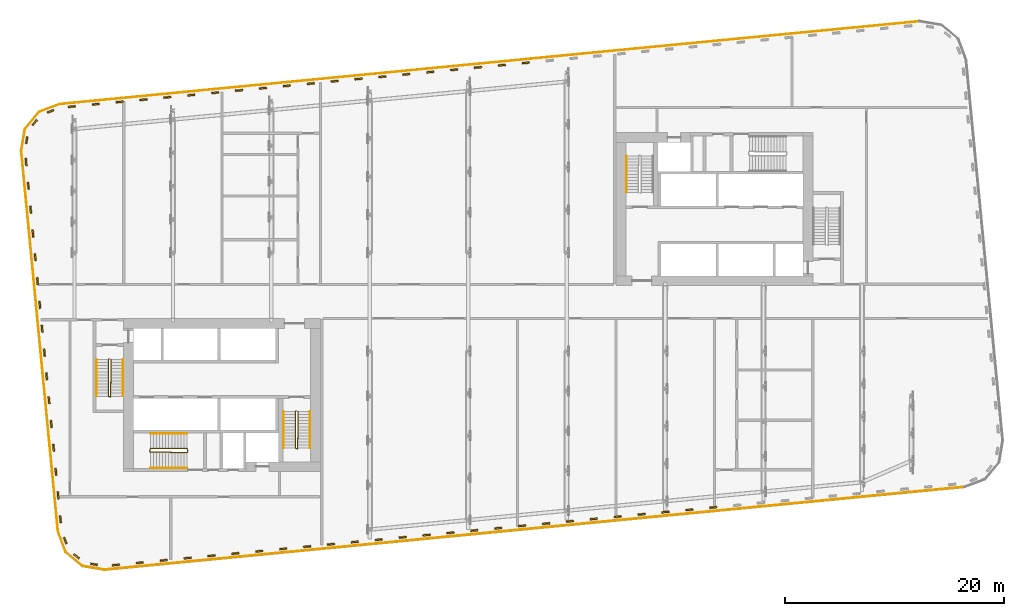
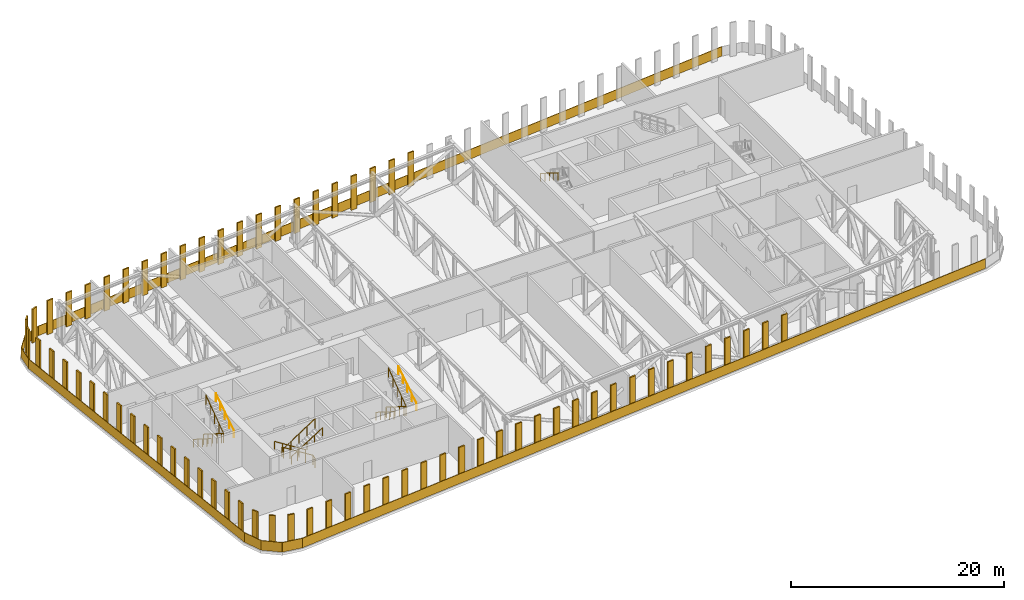
# One storey, part 21 of 22: 68 shading devices, 19 railings.
"""IFC4 building model written with IfcOpenShell, lengths in metres."""

import ifcopenshell
import ifcopenshell.guid

model = None  # the IFC model being written
_history = None  # IfcOwnerHistory: only IFC2X3 demands one
_inside = {}  # id of a spatial element -> (the spatial element, [elements in it])
_under = {}  # id of a project, library or spatial element -> (it, [spatial elements below it])
_declared = {}  # id of a project -> (the project, [libraries it declares])
_typed = {}  # id of a type object -> (the type object, [elements of that type])
_made_of = {}  # id of a material, layer set ... -> (it, [elements and type objects made of it])


def new_model(schema):
    """Start an empty IFC model of exactly this schema.

    Asked for "IFC4X3", IfcOpenShell would pick the latest addendum, in which some entities
    have other attributes; the version numbers below select the first issue.
    IFC2X3 requires an IfcOwnerHistory on every rooted entity: one is made here for all.
    """
    global model, _history
    if schema == "IFC4X3":
        model = ifcopenshell.file(schema_version=(4, 3, 0, 0))
    else:
        model = ifcopenshell.file(schema=schema)
    _inside.clear()
    _under.clear()
    _declared.clear()
    _typed.clear()
    _made_of.clear()
    _history = None
    if model.schema == "IFC2X3":
        org = make("IfcOrganization", Name="unknown")
        user = make(
            "IfcPersonAndOrganization",
            ThePerson=make("IfcPerson", FamilyName="unknown"),
            TheOrganization=org,
        )
        app = make(
            "IfcApplication",
            ApplicationDeveloper=org,
            Version="unknown",
            ApplicationFullName="unknown",
            ApplicationIdentifier="unknown",
        )
        _history = make(
            "IfcOwnerHistory",
            OwningUser=user,
            OwningApplication=app,
            ChangeAction="ADDED",
            CreationDate=0,
        )
    return model


def make(cls, **values):
    """One entity of the class cls with the attributes given. An attribute that is None is left unset."""
    return model.create_entity(
        cls, **{name: value for name, value in values.items() if value is not None}
    )


def rooted(cls, **values):
    """An entity with a GlobalId (a new one), such as an element, a storey or a relation."""
    return make(cls, GlobalId=ifcopenshell.guid.new(), OwnerHistory=_history, **values)


def si_unit(unit_type, name, prefix=None):
    """IfcSIUnit, for example si_unit("LENGTHUNIT", "METRE", prefix="MILLI")."""
    return make("IfcSIUnit", UnitType=unit_type, Prefix=prefix, Name=name)


def assignment(units):
    """IfcUnitAssignment: the units of a project."""
    return None if units is None else make("IfcUnitAssignment", Units=units)


def point(xyz):
    """IfcCartesianPoint."""
    return None if xyz is None else make("IfcCartesianPoint", Coordinates=xyz)


def direction(xyz):
    """IfcDirection."""
    return None if xyz is None else make("IfcDirection", DirectionRatios=xyz)


def frame(location, z_axis=None, x_axis=None):
    """IfcAxis2Placement3D, a coordinate frame: its origin and axes. An axis left out is left unset."""
    return make(
        "IfcAxis2Placement3D",
        Location=point(location),
        Axis=direction(z_axis),
        RefDirection=direction(x_axis),
    )


def frame_2d(location, x_axis=None):
    """IfcAxis2Placement2D, a coordinate frame in the plane: its origin and x axis."""
    return make(
        "IfcAxis2Placement2D", Location=point(location), RefDirection=direction(x_axis)
    )


def origin():
    """The frame at (0, 0, 0) with its axes left unset."""
    return frame((0.0, 0.0, 0.0))


def origin_2d():
    """The frame at (0, 0) in the plane with its x axis left unset."""
    return frame_2d((0.0, 0.0))


def place(relative_to, where):
    """IfcLocalPlacement: puts the frame where relative to a parent placement (None: the world)."""
    return make(
        "IfcLocalPlacement", PlacementRelTo=relative_to, RelativePlacement=where
    )


def context(
    kind, dimensions, precision=None, world=None, true_north=None, identifier=None
):
    """IfcGeometricRepresentationContext, for example the 3D "Model" context."""
    return make(
        "IfcGeometricRepresentationContext",
        ContextIdentifier=identifier,
        ContextType=kind,
        CoordinateSpaceDimension=dimensions,
        Precision=precision,
        WorldCoordinateSystem=world,
        TrueNorth=true_north,
    )


def subcontext(parent, identifier, kind, view, scale=None):
    """IfcGeometricRepresentationSubContext, for example "Body" below "Model"."""
    return make(
        "IfcGeometricRepresentationSubContext",
        ContextIdentifier=identifier,
        ContextType=kind,
        ParentContext=parent,
        TargetScale=scale,
        TargetView=view,
    )


def project(units=None, contexts=None):
    """IfcProject with its units and contexts."""
    return rooted(
        "IfcProject",
        Name="project",
        RepresentationContexts=contexts,
        UnitsInContext=assignment(units),
    )


def spatial(cls, under=None, at=None, **own):
    """A site, building, storey or space (cls), placed at a placement, below another one or the project."""
    s = rooted(cls, ObjectPlacement=at, **own)
    if under is not None:
        _under.setdefault(under.id(), (under, []))[1].append(s)
    return s


def polyline(points):
    """IfcPolyline through the points."""
    return make("IfcPolyline", Points=[point(p) for p in points])


def profile(cls, at=None, kind="AREA", **sizes):
    """A parametric profile (cls). Its sizes go by their IFC names, for example OverallWidth=200.0."""
    return make(cls, ProfileType=kind, Position=at, **sizes)


def rectangle(**sizes):
    """IfcRectangleProfileDef."""
    return profile("IfcRectangleProfileDef", **sizes)


def circle(**sizes):
    """IfcCircleProfileDef."""
    return profile("IfcCircleProfileDef", **sizes)


def outline(outer, holes=None, kind="AREA"):
    """IfcArbitraryClosedProfileDef: a profile drawn as a closed curve; with holes, ...WithVoids."""
    if holes is None:
        return make("IfcArbitraryClosedProfileDef", ProfileType=kind, OuterCurve=outer)
    return make(
        "IfcArbitraryProfileDefWithVoids",
        ProfileType=kind,
        OuterCurve=outer,
        InnerCurves=holes,
    )


def extrude(swept, where, along, depth):
    """IfcExtrudedAreaSolid: the profile swept, set in the frame where, extruded along a direction by depth."""
    return make(
        "IfcExtrudedAreaSolid",
        SweptArea=swept,
        Position=where,
        ExtrudedDirection=direction(along),
        Depth=depth,
    )


def shape(context_of_items, identifier, shape_type, items):
    """IfcShapeRepresentation: the items that make up one representation, for example the "Body"."""
    return make(
        "IfcShapeRepresentation",
        ContextOfItems=context_of_items,
        RepresentationIdentifier=identifier,
        RepresentationType=shape_type,
        Items=items,
    )


def material(Name=None, Category=None):
    """IfcMaterial."""
    return make("IfcMaterial", Name=Name, Category=Category)


def made_of(thing, what):
    """Note that an element or type object is made of a material, layer set ...; save() writes the relation."""
    if what is not None:
        _made_of.setdefault(what.id(), (what, []))[1].append(thing)
    return thing


def type_object(cls, material=None, **own):
    """A type object (cls), such as IfcWallType, which elements share."""
    return made_of(rooted(cls, **own), material)


def element(
    cls,
    number,
    at=None,
    inside=None,
    cuts=None,
    type_object=None,
    material=None,
    context=None,
    identifier="Body",
    shape_type=None,
    held_by="IfcProductDefinitionShape",
    body=None,
    shapes=None,
    **own,
):
    """One element of the class cls, such as IfcWall. Its Tag is "e" and its number.

    at: its placement. inside: the storey or other place that contains it. cuts: it is an
    opening in that element (IfcRelVoidsElement). A single representation is given by context,
    identifier, shape_type and body (its items); several are given by shapes. held_by: the class
    of the entity that holds the representations. save() writes the other relations.
    """
    e = rooted(cls, Tag="e%d" % number, ObjectPlacement=at, **own)
    if body is not None:
        shapes = [shape(context, identifier, shape_type, body)]
    if shapes is not None:
        e.Representation = make(held_by, Representations=shapes)
    if inside is not None:
        _inside.setdefault(inside.id(), (inside, []))[1].append(e)
    if cuts is not None:
        rooted(
            "IfcRelVoidsElement", RelatingBuildingElement=cuts, RelatedOpeningElement=e
        )
    if type_object is not None:
        _typed.setdefault(type_object.id(), (type_object, []))[1].append(e)
    return made_of(e, material)


def aggregate(whole, parts):
    """IfcRelAggregates: a whole, such as a stair, and the parts it consists of."""
    return rooted("IfcRelAggregates", RelatingObject=whole, RelatedObjects=parts)


def save(model, path):
    """Write the relations noted so far, then the file.

    IfcRelAggregates (storeys below a building ...), IfcRelContainedInSpatialStructure (elements
    in a storey), IfcRelDefinesByType, IfcRelAssociatesMaterial and IfcRelDeclares: one each for
    every whole, place, type object, material and project.
    """
    for whole, parts in _under.values():
        aggregate(whole, parts)
    for where, things in _inside.values():
        rooted(
            "IfcRelContainedInSpatialStructure",
            RelatedElements=things,
            RelatingStructure=where,
        )
    for kind, things in _typed.values():
        rooted("IfcRelDefinesByType", RelatedObjects=things, RelatingType=kind)
    for what, things in _made_of.values():
        rooted("IfcRelAssociatesMaterial", RelatedObjects=things, RelatingMaterial=what)
    for by, libraries in _declared.values():
        rooted("IfcRelDeclares", RelatingContext=by, RelatedDefinitions=libraries)
    model.write(path)


model = new_model("IFC4")

# Units and contexts
model_context = context("Model", 3, precision=1e-05, world=origin(), true_north=direction((0.0, 1.0)))
body_context = subcontext(model_context, "Body", "Model", "MODEL_VIEW")
ifc_project = project(units=[si_unit("LENGTHUNIT", "METRE"), si_unit("AREAUNIT", "SQUARE_METRE"), si_unit("VOLUMEUNIT", "CUBIC_METRE"), si_unit("PLANEANGLEUNIT", "RADIAN"), si_unit("MASSUNIT", "GRAM", prefix="KILO")], contexts=[model_context])

# Site, building, storey
site_placement = place(None, origin())
site = spatial("IfcSite", under=ifc_project, at=site_placement, CompositionType="ELEMENT")
building_placement = place(site_placement, origin())
building = spatial("IfcBuilding", under=site, at=building_placement, Name="Kajstack Hotel Tower", CompositionType="ELEMENT")
storey_placement = place(building_placement, frame((0.0, 0.0, 150.39990234375)))
storey = spatial("IfcBuildingStorey", under=building, at=storey_placement, Name="L35", CompositionType="ELEMENT", Elevation=150.39990234375)

# Railings
ifc_material = material(Name="Steel S355J2", Category="steel")
railing_type_1 = type_object("IfcRailingType", Name="GUARD-FACADE", PredefinedType="GUARDRAIL", material=ifc_material)
railing_1_placement = place(storey_placement, frame((-37.50439453125, -20.96142578125, 0.0)))
element("IfcRailing", 1, at=railing_1_placement, inside=storey, type_object=railing_type_1, Name="Guard L35 slab edge 01", PredefinedType="GUARDRAIL", context=body_context, shape_type="SweptSolid", body=[
    extrude(outline(polyline([(0.736328125, -1.88427734375), (0.68017578125, -1.9052734375), (-0.028076171875, -0.010498046875), (0.028076171875, 0.010498046875), (0.736328125, -1.88427734375)])), origin(), (0.0, 0.0, 1.0), 1.10009765625),
])
railing_2_placement = place(storey_placement, frame((-36.796142578125, -22.856201171875, 0.0)))
element("IfcRailing", 2, at=railing_2_placement, inside=storey, type_object=railing_type_1, Name="Guard L35 slab edge 02", PredefinedType="GUARDRAIL", context=body_context, shape_type="SweptSolid", body=[
    extrude(outline(polyline([(1.567138671875, -1.252685546875), (1.529052734375, -1.299072265625), (-0.01904296875, -0.023193359375), (0.01904296875, 0.023193359375), (1.567138671875, -1.252685546875)])), origin(), (0.0, 0.0, 1.0), 1.10009765625),
])
railing_3_placement = place(storey_placement, frame((-35.248046875, -24.132080078125, 0.0)))
element("IfcRailing", 3, at=railing_3_placement, inside=storey, type_object=railing_type_1, Name="Guard L35 slab edge 03", PredefinedType="GUARDRAIL", context=body_context, shape_type="SweptSolid", body=[
    extrude(outline(polyline([(1.99951171875, -0.30419921875), (1.98974609375, -0.36328125), (-0.0048828125, -0.029541015625), (0.0048828125, 0.029541015625), (1.99951171875, -0.30419921875)])), origin(), (0.0, 0.0, 1.0), 1.10009765625),
])
railing_4_placement = place(storey_placement, frame((-33.25341796875, -24.4658203125, 0.0)))
element("IfcRailing", 4, at=railing_4_placement, inside=storey, type_object=railing_type_1, Name="Guard L35 slab edge 04", PredefinedType="GUARDRAIL", context=body_context, shape_type="SweptSolid", body=[
    extrude(outline(polyline([(78.60205078125, 7.598388671875), (78.60791015625, 7.538818359375), (0.0029296875, -0.02978515625), (-0.0029296875, 0.02978515625), (78.60205078125, 7.598388671875)])), origin(), (0.0, 0.0, 1.0), 1.10009765625),
])
railing_5_placement = place(storey_placement, frame((41.25341796875, 25.666015625, 0.0)))
element("IfcRailing", 5, at=railing_5_placement, inside=storey, type_object=railing_type_1, Name="Guard L35 slab edge 12", PredefinedType="GUARDRAIL", context=body_context, shape_type="SweptSolid", body=[
    extrude(outline(polyline([(-78.60205078125, -7.5986328125), (-78.60791015625, -7.5390625), (-0.0029296875, 0.02978515625), (0.0029296875, -0.02978515625), (-78.60205078125, -7.5986328125)])), origin(), (0.0, 0.0, 1.0), 1.10009765625),
])
railing_6_placement = place(storey_placement, frame((-37.3515625, 18.09716796875, 0.0)))
element("IfcRailing", 6, at=railing_6_placement, inside=storey, type_object=railing_type_1, Name="Guard L35 slab edge 13", PredefinedType="GUARDRAIL", context=body_context, shape_type="SweptSolid", body=[
    extrude(outline(polyline([(-1.884033203125, -0.736328125), (-1.905029296875, -0.68017578125), (-0.010498046875, 0.028076171875), (0.010498046875, -0.028076171875), (-1.884033203125, -0.736328125)])), origin(), (0.0, 0.0, 1.0), 1.10009765625),
])
railing_7_placement = place(storey_placement, frame((-39.24609375, 17.388916015625, 0.0)))
element("IfcRailing", 7, at=railing_7_placement, inside=storey, type_object=railing_type_1, Name="Guard L35 slab edge 14", PredefinedType="GUARDRAIL", context=body_context, shape_type="SweptSolid", body=[
    extrude(outline(polyline([(-1.2529296875, -1.567138671875), (-1.29931640625, -1.529052734375), (-0.023193359375, 0.01904296875), (0.023193359375, -0.01904296875), (-1.2529296875, -1.567138671875)])), origin(), (0.0, 0.0, 1.0), 1.10009765625),
])
railing_8_placement = place(storey_placement, frame((-40.522216796875, 15.8408203125, 0.0)))
element("IfcRailing", 8, at=railing_8_placement, inside=storey, type_object=railing_type_1, Name="Guard L35 slab edge 15", PredefinedType="GUARDRAIL", context=body_context, shape_type="SweptSolid", body=[
    extrude(outline(polyline([(-0.30419921875, -1.999755859375), (-0.36328125, -1.989990234375), (-0.029541015625, 0.0048828125), (0.029541015625, -0.0048828125), (-0.30419921875, -1.999755859375)])), origin(), (0.0, 0.0, 1.0), 1.10009765625),
])
railing_9_placement = place(storey_placement, frame((-40.85595703125, 13.845947265625, 0.0)))
element("IfcRailing", 9, at=railing_9_placement, inside=storey, type_object=railing_type_1, Name="Guard L35 slab edge 16", PredefinedType="GUARDRAIL", context=body_context, shape_type="SweptSolid", body=[
    extrude(outline(polyline([(3.38134765625, -34.804443359375), (3.32177734375, -34.810302734375), (-0.02978515625, -0.0029296875), (0.02978515625, 0.0029296875), (3.38134765625, -34.804443359375)])), origin(), (0.0, 0.0, 1.0), 1.10009765625),
])
railing_type_2 = type_object("IfcRailingType", Name="Stair guard 1100", PredefinedType="GUARDRAIL", material=ifc_material)
railing_10_placement = place(storey_placement, frame((-32.85009765625, -5.199951171875, 0.0)))
element("IfcRailing", 10, at=railing_10_placement, inside=storey, type_object=railing_type_2, Name="L35 W1 stair guard 1", PredefinedType="GUARDRAIL", context=body_context, shape_type="SweptSolid", body=[
    extrude(circle(Radius=0.02392578125, at=origin_2d()), frame((0.0, 0.0, 1.076171875), z_axis=(-0.261352522353, -0.262633662168, 0.928826366204), x_axis=(0.708833529934, -0.705375805398, 0.0)), (0.0, 0.0, 1.0), 0.190673828125),
    extrude(circle(Radius=0.02392578125, at=origin_2d()), frame((-0.0498046875, -0.050048828125, 1.2529296875), z_axis=(0.0, -0.845389635667, 0.534150132366), x_axis=(1.0, 0.0, 0.0)), (0.0, 0.0, 1.0), 3.974609375),
    extrude(circle(Radius=0.02392578125, at=origin_2d()), frame((-0.0498046875, -3.41015625, 3.3759765625), z_axis=(0.970351222016, -0.241699205484, 0.0), x_axis=(0.241699205484, 0.970351222016, 0.0)), (0.0, 0.0, 1.0), 0.2060546875),
    extrude(circle(Radius=0.02392578125, at=origin_2d()), frame((0.150146484375, -3.4599609375, 3.3759765625), z_axis=(0.012167203753, 0.828972364935, 0.559157202696), x_axis=(-0.999892303572, 0.014675873289, 0.0)), (0.0, 0.0, 1.0), 4.113525390625),
    extrude(circle(Radius=0.02099609375, at=origin_2d()), origin(), (0.0, 0.0, 1.0), 1.052001953125),
    extrude(circle(Radius=0.02099609375, at=origin_2d()), frame((-0.0498046875, -0.050048828125, 0.177001953125)), (0.0, 0.0, 1.0), 1.052001953125),
    extrude(circle(Radius=0.02099609375, at=origin_2d()), frame((-0.0498046875, -0.89013671875, 0.707763671875)), (0.0, 0.0, 1.0), 1.052001953125),
    extrude(circle(Radius=0.02099609375, at=origin_2d()), frame((-0.0498046875, -1.72998046875, 1.238525390625)), (0.0, 0.0, 1.0), 1.052001953125),
    extrude(circle(Radius=0.02099609375, at=origin_2d()), frame((-0.0498046875, -2.570068359375, 1.769287109375)), (0.0, 0.0, 1.0), 1.052001953125),
    extrude(circle(Radius=0.02099609375, at=origin_2d()), frame((-0.0498046875, -3.41015625, 2.300048828125)), (0.0, 0.0, 1.0), 1.052001953125),
    extrude(circle(Radius=0.02099609375, at=origin_2d()), frame((0.150146484375, -3.4599609375, 2.300048828125)), (0.0, 0.0, 1.0), 1.052001953125),
    extrude(circle(Radius=0.02099609375, at=origin_2d()), frame((0.16259765625, -2.607421875, 2.875)), (0.0, 0.0, 1.0), 1.052001953125),
    extrude(circle(Radius=0.02099609375, at=origin_2d()), frame((0.17529296875, -1.7548828125, 3.4501953125)), (0.0, 0.0, 1.0), 1.052001953125),
    extrude(circle(Radius=0.02099609375, at=origin_2d()), frame((0.187744140625, -0.902587890625, 4.025146484375)), (0.0, 0.0, 1.0), 1.052001953125),
    extrude(circle(Radius=0.02099609375, at=origin_2d()), frame((0.2001953125, -0.050048828125, 4.60009765625)), (0.0, 0.0, 1.0), 1.052001953125),
])
railing_11_placement = place(storey_placement, frame((-15.75, -9.949951171875, 0.0)))
element("IfcRailing", 11, at=railing_11_placement, inside=storey, type_object=railing_type_2, Name="L35 W2 stair guard 1", PredefinedType="GUARDRAIL", context=body_context, shape_type="SweptSolid", body=[
    extrude(circle(Radius=0.02392578125, at=origin_2d()), frame((0.0, 0.0, 1.076171875), z_axis=(-0.262545553595, -0.262545553595, 0.928514762713), x_axis=(0.707106781187, -0.707106781187, 0.0)), (0.0, 0.0, 1.0), 0.190673828125),
    extrude(circle(Radius=0.02392578125, at=origin_2d()), frame((-0.050048828125, -0.050048828125, 1.2529296875), z_axis=(0.0, -0.845389635667, 0.534150132366), x_axis=(1.0, 0.0, 0.0)), (0.0, 0.0, 1.0), 3.974609375),
    extrude(circle(Radius=0.02392578125, at=origin_2d()), frame((-0.050048828125, -3.41015625, 3.3759765625), z_axis=(0.970351222016, -0.241699205484, 0.0), x_axis=(0.241699205484, 0.970351222016, 0.0)), (0.0, 0.0, 1.0), 0.2060546875),
    extrude(circle(Radius=0.02392578125, at=origin_2d()), frame((0.14990234375, -3.4599609375, 3.3759765625), z_axis=(0.012167203753, 0.828972364935, 0.559157202696), x_axis=(-0.999892303572, 0.014675873289, 0.0)), (0.0, 0.0, 1.0), 4.113525390625),
    extrude(circle(Radius=0.02099609375, at=origin_2d()), origin(), (0.0, 0.0, 1.0), 1.052001953125),
    extrude(circle(Radius=0.02099609375, at=origin_2d()), frame((-0.050048828125, -0.050048828125, 0.177001953125)), (0.0, 0.0, 1.0), 1.052001953125),
    extrude(circle(Radius=0.02099609375, at=origin_2d()), frame((-0.050048828125, -0.89013671875, 0.707763671875)), (0.0, 0.0, 1.0), 1.052001953125),
    extrude(circle(Radius=0.02099609375, at=origin_2d()), frame((-0.050048828125, -1.72998046875, 1.238525390625)), (0.0, 0.0, 1.0), 1.052001953125),
    extrude(circle(Radius=0.02099609375, at=origin_2d()), frame((-0.050048828125, -2.570068359375, 1.769287109375)), (0.0, 0.0, 1.0), 1.052001953125),
    extrude(circle(Radius=0.02099609375, at=origin_2d()), frame((-0.050048828125, -3.41015625, 2.300048828125)), (0.0, 0.0, 1.0), 1.052001953125),
    extrude(circle(Radius=0.02099609375, at=origin_2d()), frame((0.14990234375, -3.4599609375, 2.300048828125)), (0.0, 0.0, 1.0), 1.052001953125),
    extrude(circle(Radius=0.02099609375, at=origin_2d()), frame((0.162353515625, -2.607421875, 2.875)), (0.0, 0.0, 1.0), 1.052001953125),
    extrude(circle(Radius=0.02099609375, at=origin_2d()), frame((0.1748046875, -1.7548828125, 3.4501953125)), (0.0, 0.0, 1.0), 1.052001953125),
    extrude(circle(Radius=0.02099609375, at=origin_2d()), frame((0.1875, -0.902587890625, 4.025146484375)), (0.0, 0.0, 1.0), 1.052001953125),
    extrude(circle(Radius=0.02099609375, at=origin_2d()), frame((0.199951171875, -0.050048828125, 4.60009765625)), (0.0, 0.0, 1.0), 1.052001953125),
])
railing_12_placement = place(storey_placement, frame((-25.64990234375, -13.699951171875, 0.0)))
element("IfcRailing", 12, at=railing_12_placement, inside=storey, type_object=railing_type_2, Name="L35 W3 stair guard 1", PredefinedType="GUARDRAIL", context=body_context, shape_type="SweptSolid", body=[
    extrude(circle(Radius=0.02392578125, at=origin_2d()), frame((0.0, 0.0, 1.076171875), z_axis=(-0.142207198326, 0.852549496304, 0.502927896518), x_axis=(-0.986372223864, -0.164529134168, 0.0)), (0.0, 0.0, 1.0), 0.35205078125),
    extrude(circle(Radius=0.02392578125, at=origin_2d()), frame((-0.050048828125, 0.300048828125, 1.2529296875), z_axis=(-0.845389635667, 0.0, 0.534150132366), x_axis=(0.0, -1.0, 0.0)), (0.0, 0.0, 1.0), 3.974609375),
    extrude(circle(Radius=0.02392578125, at=origin_2d()), frame((-3.41015625, 0.300048828125, 3.3759765625), z_axis=(-0.164529134168, -0.986372223864, 0.0), x_axis=(0.986372223864, -0.164529134168, 0.0)), (0.0, 0.0, 1.0), 0.30419921875),
    extrude(circle(Radius=0.02392578125, at=origin_2d()), frame((-3.460205078125, 0.0, 3.3759765625), z_axis=(0.828990929223, -0.012166605133, 0.559129692455), x_axis=(0.014674822837, 0.99989231899, 0.0)), (0.0, 0.0, 1.0), 4.113525390625),
    extrude(circle(Radius=0.02099609375, at=origin_2d()), origin(), (0.0, 0.0, 1.0), 1.052001953125),
    extrude(circle(Radius=0.02099609375, at=origin_2d()), frame((-0.050048828125, 0.300048828125, 0.177001953125)), (0.0, 0.0, 1.0), 1.052001953125),
    extrude(circle(Radius=0.02099609375, at=origin_2d()), frame((-0.89013671875, 0.300048828125, 0.707763671875)), (0.0, 0.0, 1.0), 1.052001953125),
    extrude(circle(Radius=0.02099609375, at=origin_2d()), frame((-1.72998046875, 0.300048828125, 1.238525390625)), (0.0, 0.0, 1.0), 1.052001953125),
    extrude(circle(Radius=0.02099609375, at=origin_2d()), frame((-2.570068359375, 0.300048828125, 1.769287109375)), (0.0, 0.0, 1.0), 1.052001953125),
    extrude(circle(Radius=0.02099609375, at=origin_2d()), frame((-3.41015625, 0.300048828125, 2.300048828125)), (0.0, 0.0, 1.0), 1.052001953125),
    extrude(circle(Radius=0.02099609375, at=origin_2d()), frame((-3.460205078125, 0.0, 2.300048828125)), (0.0, 0.0, 1.0), 1.052001953125),
    extrude(circle(Radius=0.02099609375, at=origin_2d()), frame((-2.607666015625, -0.012451171875, 2.875)), (0.0, 0.0, 1.0), 1.052001953125),
    extrude(circle(Radius=0.02099609375, at=origin_2d()), frame((-1.755126953125, -0.02490234375, 3.4501953125)), (0.0, 0.0, 1.0), 1.052001953125),
    extrude(circle(Radius=0.02099609375, at=origin_2d()), frame((-0.902587890625, -0.03759765625, 4.025146484375)), (0.0, 0.0, 1.0), 1.052001953125),
    extrude(circle(Radius=0.02099609375, at=origin_2d()), frame((-0.050048828125, -0.050048828125, 4.60009765625)), (0.0, 0.0, 1.0), 1.052001953125),
])
railing_type_3 = type_object("IfcRailingType", Name="Stair handrail 900", PredefinedType="HANDRAIL", material=ifc_material)
railing_13_placement = place(storey_placement, frame((-34.0, -5.25, 0.177001953125)))
element("IfcRailing", 13, at=railing_13_placement, inside=storey, type_object=railing_type_3, Name="L35 W1 stair handrail 1", PredefinedType="HANDRAIL", context=body_context, shape_type="SweptSolid", body=[
    extrude(circle(Radius=0.02392578125, at=origin_2d()), frame((0.0, 0.0, 0.8759765625), z_axis=(0.0, -0.845389635667, 0.534150132366), x_axis=(1.0, 0.0, 0.0)), (0.0, 0.0, 1.0), 3.974609375),
    extrude(circle(Radius=0.02099609375, at=origin_2d()), origin(), (0.0, 0.0, 1.0), 0.851806640625),
    extrude(circle(Radius=0.02099609375, at=origin_2d()), frame((0.0, -0.840087890625, 0.53076171875)), (0.0, 0.0, 1.0), 0.851806640625),
    extrude(circle(Radius=0.02099609375, at=origin_2d()), frame((0.0, -1.68017578125, 1.0615234375)), (0.0, 0.0, 1.0), 0.851806640625),
    extrude(circle(Radius=0.02099609375, at=origin_2d()), frame((0.0, -2.52001953125, 1.59228515625)), (0.0, 0.0, 1.0), 0.851806640625),
    extrude(circle(Radius=0.02099609375, at=origin_2d()), frame((0.0, -3.360107421875, 2.123046875)), (0.0, 0.0, 1.0), 0.851806640625),
])
railing_14_placement = place(storey_placement, frame((-31.550048828125, -8.610107421875, 2.47705078125)))
element("IfcRailing", 14, at=railing_14_placement, inside=storey, type_object=railing_type_3, Name="L35 W1 stair handrail 2", PredefinedType="HANDRAIL", context=body_context, shape_type="SweptSolid", body=[
    extrude(circle(Radius=0.02392578125, at=origin_2d()), frame((0.0, 0.0, 0.8759765625), z_axis=(0.0, 0.845389635667, 0.534150132366), x_axis=(-1.0, 0.0, 0.0)), (0.0, 0.0, 1.0), 3.974609375),
    extrude(circle(Radius=0.02099609375, at=origin_2d()), origin(), (0.0, 0.0, 1.0), 0.851806640625),
    extrude(circle(Radius=0.02099609375, at=origin_2d()), frame((0.0, 0.840087890625, 0.53076171875)), (0.0, 0.0, 1.0), 0.851806640625),
    extrude(circle(Radius=0.02099609375, at=origin_2d()), frame((0.0, 1.68017578125, 1.0615234375)), (0.0, 0.0, 1.0), 0.851806640625),
    extrude(circle(Radius=0.02099609375, at=origin_2d()), frame((0.0, 2.52001953125, 1.59228515625)), (0.0, 0.0, 1.0), 0.851806640625),
    extrude(circle(Radius=0.02099609375, at=origin_2d()), frame((0.0, 3.360107421875, 2.123046875)), (0.0, 0.0, 1.0), 0.851806640625),
])
railing_15_placement = place(storey_placement, frame((-16.89990234375, -10.0, 0.177001953125)))
element("IfcRailing", 15, at=railing_15_placement, inside=storey, type_object=railing_type_3, Name="L35 W2 stair handrail 1", PredefinedType="HANDRAIL", context=body_context, shape_type="SweptSolid", body=[
    extrude(circle(Radius=0.02392578125, at=origin_2d()), frame((0.0, 0.0, 0.8759765625), z_axis=(0.0, -0.845389635667, 0.534150132366), x_axis=(1.0, 0.0, 0.0)), (0.0, 0.0, 1.0), 3.974609375),
    extrude(circle(Radius=0.02099609375, at=origin_2d()), origin(), (0.0, 0.0, 1.0), 0.851806640625),
    extrude(circle(Radius=0.02099609375, at=origin_2d()), frame((0.0, -0.840087890625, 0.53076171875)), (0.0, 0.0, 1.0), 0.851806640625),
    extrude(circle(Radius=0.02099609375, at=origin_2d()), frame((0.0, -1.68017578125, 1.0615234375)), (0.0, 0.0, 1.0), 0.851806640625),
    extrude(circle(Radius=0.02099609375, at=origin_2d()), frame((0.0, -2.52001953125, 1.59228515625)), (0.0, 0.0, 1.0), 0.851806640625),
    extrude(circle(Radius=0.02099609375, at=origin_2d()), frame((0.0, -3.360107421875, 2.123046875)), (0.0, 0.0, 1.0), 0.851806640625),
])
railing_16_placement = place(storey_placement, frame((-14.449951171875, -13.360107421875, 2.47705078125)))
element("IfcRailing", 16, at=railing_16_placement, inside=storey, type_object=railing_type_3, Name="L35 W2 stair handrail 2", PredefinedType="HANDRAIL", context=body_context, shape_type="SweptSolid", body=[
    extrude(circle(Radius=0.02392578125, at=origin_2d()), frame((0.0, 0.0, 0.8759765625), z_axis=(0.0, 0.845389635667, 0.534150132366), x_axis=(-1.0, 0.0, 0.0)), (0.0, 0.0, 1.0), 3.974609375),
    extrude(circle(Radius=0.02099609375, at=origin_2d()), origin(), (0.0, 0.0, 1.0), 0.851806640625),
    extrude(circle(Radius=0.02099609375, at=origin_2d()), frame((0.0, 0.840087890625, 0.53076171875)), (0.0, 0.0, 1.0), 0.851806640625),
    extrude(circle(Radius=0.02099609375, at=origin_2d()), frame((0.0, 1.68017578125, 1.0615234375)), (0.0, 0.0, 1.0), 0.851806640625),
    extrude(circle(Radius=0.02099609375, at=origin_2d()), frame((0.0, 2.52001953125, 1.59228515625)), (0.0, 0.0, 1.0), 0.851806640625),
    extrude(circle(Radius=0.02099609375, at=origin_2d()), frame((0.0, 3.360107421875, 2.123046875)), (0.0, 0.0, 1.0), 0.851806640625),
])
railing_17_placement = place(storey_placement, frame((-25.699951171875, -12.0, 0.177001953125)))
element("IfcRailing", 17, at=railing_17_placement, inside=storey, type_object=railing_type_3, Name="L35 W3 stair handrail 1", PredefinedType="HANDRAIL", context=body_context, shape_type="SweptSolid", body=[
    extrude(circle(Radius=0.02392578125, at=origin_2d()), frame((0.0, 0.0, 0.8759765625), z_axis=(-0.845389635667, 0.0, 0.534150132366), x_axis=(0.0, -1.0, 0.0)), (0.0, 0.0, 1.0), 3.974609375),
    extrude(circle(Radius=0.02099609375, at=origin_2d()), origin(), (0.0, 0.0, 1.0), 0.851806640625),
    extrude(circle(Radius=0.02099609375, at=origin_2d()), frame((-0.840087890625, 0.0, 0.53076171875)), (0.0, 0.0, 1.0), 0.851806640625),
    extrude(circle(Radius=0.02099609375, at=origin_2d()), frame((-1.68017578125, 0.0, 1.0615234375)), (0.0, 0.0, 1.0), 0.851806640625),
    extrude(circle(Radius=0.02099609375, at=origin_2d()), frame((-2.52001953125, 0.0, 1.59228515625)), (0.0, 0.0, 1.0), 0.851806640625),
    extrude(circle(Radius=0.02099609375, at=origin_2d()), frame((-3.360107421875, 0.0, 2.123046875)), (0.0, 0.0, 1.0), 0.851806640625),
])
railing_18_placement = place(storey_placement, frame((-29.06005859375, -15.14990234375, 2.47705078125)))
element("IfcRailing", 18, at=railing_18_placement, inside=storey, type_object=railing_type_3, Name="L35 W3 stair handrail 2", PredefinedType="HANDRAIL", context=body_context, shape_type="SweptSolid", body=[
    extrude(circle(Radius=0.02392578125, at=origin_2d()), frame((0.0, 0.0, 0.8759765625), z_axis=(0.845389635667, 0.0, 0.534150132366), x_axis=(0.0, 1.0, 0.0)), (0.0, 0.0, 1.0), 3.974609375),
    extrude(circle(Radius=0.02099609375, at=origin_2d()), origin(), (0.0, 0.0, 1.0), 0.851806640625),
    extrude(circle(Radius=0.02099609375, at=origin_2d()), frame((0.840087890625, 0.0, 0.53076171875)), (0.0, 0.0, 1.0), 0.851806640625),
    extrude(circle(Radius=0.02099609375, at=origin_2d()), frame((1.68017578125, 0.0, 1.0615234375)), (0.0, 0.0, 1.0), 0.851806640625),
    extrude(circle(Radius=0.02099609375, at=origin_2d()), frame((2.52001953125, 0.0, 1.59228515625)), (0.0, 0.0, 1.0), 0.851806640625),
    extrude(circle(Radius=0.02099609375, at=origin_2d()), frame((3.360107421875, 0.0, 2.123046875)), (0.0, 0.0, 1.0), 0.851806640625),
])
railing_19_placement = place(storey_placement, frame((14.449951171875, 13.360107421875, 2.47705078125)))
element("IfcRailing", 19, at=railing_19_placement, inside=storey, type_object=railing_type_3, Name="L35 E2 stair handrail 2", PredefinedType="HANDRAIL", context=body_context, shape_type="SweptSolid", body=[
    extrude(circle(Radius=0.02392578125, at=origin_2d()), frame((0.0, 0.0, 0.8759765625), z_axis=(0.0, -0.845389635667, 0.534150132366), x_axis=(1.0, 0.0, 0.0)), (0.0, 0.0, 1.0), 3.974609375),
    extrude(circle(Radius=0.02099609375, at=origin_2d()), origin(), (0.0, 0.0, 1.0), 0.851806640625),
    extrude(circle(Radius=0.02099609375, at=origin_2d()), frame((0.0, -0.840087890625, 0.53076171875)), (0.0, 0.0, 1.0), 0.851806640625),
    extrude(circle(Radius=0.02099609375, at=origin_2d()), frame((0.0, -1.68017578125, 1.0615234375)), (0.0, 0.0, 1.0), 0.851806640625),
    extrude(circle(Radius=0.02099609375, at=origin_2d()), frame((0.0, -2.52001953125, 1.59228515625)), (0.0, 0.0, 1.0), 0.851806640625),
    extrude(circle(Radius=0.02099609375, at=origin_2d()), frame((0.0, -3.360107421875, 2.123046875)), (0.0, 0.0, 1.0), 0.851806640625),
])

# Shading devices
for number, where, z_axis, x_axis, name in (
    (20, (-40.42431640625, 12.804443359375, 0.000244140625), (0.0, 0.0, 1.0), (0.095845891504, -0.995396184985, 0.0), "Screen L35-00-01"),
    (21, (-40.214599609375, 10.627197265625, 0.000244140625), (0.0, 0.0, 1.0), (0.095845891504, -0.995396184985, 0.0), "Screen L35-00-02"),
    (22, (-40.0048828125, 8.44970703125, 0.000244140625), (0.0, 0.0, 1.0), (0.095845891504, -0.995396184985, 0.0), "Screen L35-00-03"),
    (23, (-39.795166015625, 6.272216796875, 0.000244140625), (0.0, 0.0, 1.0), (0.095845891504, -0.995396184985, 0.0), "Screen L35-00-04"),
    (24, (-39.585693359375, 4.0947265625, 0.000244140625), (0.0, 0.0, 1.0), (0.095845891504, -0.995396184985, 0.0), "Screen L35-00-05"),
    (25, (-39.3759765625, 1.91748046875, 0.000244140625), (0.0, 0.0, 1.0), (0.095845891504, -0.995396184985, 0.0), "Screen L35-00-06"),
    (26, (-39.166259765625, -0.260009765625, 0.000244140625), (0.0, 0.0, 1.0), (0.095845891504, -0.995396184985, 0.0), "Screen L35-00-07"),
    (27, (-38.95654296875, -2.4375, 0.000244140625), (0.0, 0.0, 1.0), (0.095845891504, -0.995396184985, 0.0), "Screen L35-00-08"),
    (28, (-38.746826171875, -4.614990234375, 0.000244140625), (0.0, 0.0, 1.0), (0.095845891504, -0.995396184985, 0.0), "Screen L35-00-09"),
    (29, (-38.537353515625, -6.792236328125, 0.000244140625), (0.0, 0.0, 1.0), (0.095845891504, -0.995396184985, 0.0), "Screen L35-00-10"),
    (30, (-38.32763671875, -8.9697265625, 0.000244140625), (0.0, 0.0, 1.0), (0.095845891504, -0.995396184985, 0.0), "Screen L35-00-11"),
    (31, (-38.117919921875, -11.147216796875, 0.000244140625), (0.0, 0.0, 1.0), (0.095845891504, -0.995396184985, 0.0), "Screen L35-00-12"),
    (32, (-37.908203125, -13.324462890625, 0.000244140625), (0.0, 0.0, 1.0), (0.095845891504, -0.995396184985, 0.0), "Screen L35-00-13"),
    (33, (-37.69873046875, -15.501953125, 0.000244140625), (0.0, 0.0, 1.0), (0.095845891504, -0.995396184985, 0.0), "Screen L35-00-14"),
    (34, (-37.489013671875, -17.679443359375, 0.000244140625), (0.0, 0.0, 1.0), (0.095845891504, -0.995396184985, 0.0), "Screen L35-00-15"),
    (35, (-37.279296875, -19.85693359375, 0.000244140625), (0.0, 0.0, 1.0), (0.095845891504, -0.995396184985, 0.0), "Screen L35-00-16"),
):
    element("IfcShadingDevice", number, at=place(storey_placement, frame(where, z_axis=z_axis, x_axis=x_axis)), inside=storey, Name=name, ObjectType="SCREEN", PredefinedType="USERDEFINED", context=body_context, shape_type="SweptSolid", body=[
        extrude(rectangle(XDim=0.65625, YDim=0.14990234375, at=origin_2d()), origin(), (0.0, 0.0, 1.0), 3.89990234375),
    ])
for number, where, z_axis, x_axis, name in (
    (36, (-36.83837890625, -21.80078125, 0.000244140625), (0.0, 0.0, 1.0), (0.350186472063, -0.936680006611, 0.0), "Screen L35-01-01"),
    (37, (-35.812255859375, -23.239501953125, 0.000244140625), (0.0, 0.0, 1.0), (0.771634596989, -0.636066072614, 0.0), "Screen L35-02-01"),
    (38, (-34.204345703125, -23.97216796875, 0.000244140625), (0.0, 0.0, 1.0), (0.986287986591, -0.165033352708, 0.0), "Screen L35-03-01"),
):
    element("IfcShadingDevice", number, at=place(storey_placement, frame(where, z_axis=z_axis, x_axis=x_axis)), inside=storey, Name=name, ObjectType="SCREEN", PredefinedType="USERDEFINED", context=body_context, shape_type="SweptSolid", body=[
        extrude(rectangle(XDim=0.62109375, YDim=0.14990234375, at=origin_2d()), origin(), (0.0, 0.0, 1.0), 3.89990234375),
    ])
for number, where, z_axis, x_axis, name in (
    (39, (-32.20849609375, -24.03369140625, 0.000244140625), (0.0, 0.0, 1.0), (0.995396215095, 0.095845578791, 0.0), "Screen L35-04-01"),
    (40, (-30.024169921875, -23.823486328125, 0.000244140625), (0.0, 0.0, 1.0), (0.995396215095, 0.095845578791, 0.0), "Screen L35-04-02"),
    (41, (-27.83984375, -23.613037109375, 0.000244140625), (0.0, 0.0, 1.0), (0.995396215095, 0.095845578791, 0.0), "Screen L35-04-03"),
    (42, (-25.655517578125, -23.40283203125, 0.000244140625), (0.0, 0.0, 1.0), (0.995396215095, 0.095845578791, 0.0), "Screen L35-04-04"),
    (43, (-23.47119140625, -23.1923828125, 0.000244140625), (0.0, 0.0, 1.0), (0.995396215095, 0.095845578791, 0.0), "Screen L35-04-05"),
    (44, (-21.286865234375, -22.982177734375, 0.000244140625), (0.0, 0.0, 1.0), (0.995396215095, 0.095845578791, 0.0), "Screen L35-04-06"),
    (45, (-19.102294921875, -22.771728515625, 0.000244140625), (0.0, 0.0, 1.0), (0.995396215095, 0.095845578791, 0.0), "Screen L35-04-07"),
    (46, (-16.91796875, -22.5615234375, 0.000244140625), (0.0, 0.0, 1.0), (0.995396215095, 0.095845578791, 0.0), "Screen L35-04-08"),
    (47, (-14.733642578125, -22.35107421875, 0.000244140625), (0.0, 0.0, 1.0), (0.995396215095, 0.095845578791, 0.0), "Screen L35-04-09"),
    (48, (-12.54931640625, -22.140869140625, 0.000244140625), (0.0, 0.0, 1.0), (0.995396215095, 0.095845578791, 0.0), "Screen L35-04-10"),
    (49, (-10.364990234375, -21.930419921875, 0.000244140625), (0.0, 0.0, 1.0), (0.995396215095, 0.095845578791, 0.0), "Screen L35-04-11"),
    (50, (-8.1806640625, -21.72021484375, 0.000244140625), (0.0, 0.0, 1.0), (0.995396215095, 0.095845578791, 0.0), "Screen L35-04-12"),
    (51, (-5.996337890625, -21.509765625, 0.000244140625), (0.0, 0.0, 1.0), (0.995396215095, 0.095845578791, 0.0), "Screen L35-04-13"),
    (52, (-3.81201171875, -21.299560546875, 0.000244140625), (0.0, 0.0, 1.0), (0.995396215095, 0.095845578791, 0.0), "Screen L35-04-14"),
    (53, (-1.627685546875, -21.089111328125, 0.000244140625), (0.0, 0.0, 1.0), (0.995396215095, 0.095845578791, 0.0), "Screen L35-04-15"),
    (54, (0.556640625, -20.87890625, 0.000244140625), (0.0, 0.0, 1.0), (0.995396215095, 0.095845578791, 0.0), "Screen L35-04-16"),
    (55, (2.740966796875, -20.66845703125, 0.000244140625), (0.0, 0.0, 1.0), (0.995396215095, 0.095845578791, 0.0), "Screen L35-04-17"),
    (56, (4.92529296875, -20.458251953125, 0.000244140625), (0.0, 0.0, 1.0), (0.995396215095, 0.095845578791, 0.0), "Screen L35-04-18"),
    (57, (7.109619140625, -20.247802734375, 0.000244140625), (0.0, 0.0, 1.0), (0.995396215095, 0.095845578791, 0.0), "Screen L35-04-19"),
    (58, (9.2939453125, -20.03759765625, 0.000244140625), (0.0, 0.0, 1.0), (0.995396215095, 0.095845578791, 0.0), "Screen L35-04-20"),
    (59, (11.478271484375, -19.8271484375, 0.000244140625), (0.0, 0.0, 1.0), (0.995396215095, 0.095845578791, 0.0), "Screen L35-04-21"),
    (60, (13.66259765625, -19.616943359375, 0.000244140625), (0.0, 0.0, 1.0), (0.995396215095, 0.095845578791, 0.0), "Screen L35-04-22"),
    (61, (15.84716796875, -19.406494140625, 0.000244140625), (0.0, 0.0, 1.0), (0.995396215095, 0.095845578791, 0.0), "Screen L35-04-23"),
    (62, (18.031494140625, -19.1962890625, 0.000244140625), (0.0, 0.0, 1.0), (0.995396215095, 0.095845578791, 0.0), "Screen L35-04-24"),
    (63, (20.2158203125, -18.98583984375, 0.000244140625), (0.0, 0.0, 1.0), (0.995396215095, 0.095845578791, 0.0), "Screen L35-04-25"),
    (64, (22.400146484375, -18.775634765625, 0.000244140625), (0.0, 0.0, 1.0), (0.995396215095, 0.095845578791, 0.0), "Screen L35-04-26"),
    (65, (5.259033203125, 21.86865234375, 0.000244140625), (0.0, 0.0, 1.0), (-0.995396215095, -0.095845578791, 0.0), "Screen L35-12-17"),
    (66, (3.07470703125, 21.658203125, 0.000244140625), (0.0, 0.0, 1.0), (-0.995396215095, -0.095845578791, 0.0), "Screen L35-12-18"),
    (67, (0.890380859375, 21.447998046875, 0.000244140625), (0.0, 0.0, 1.0), (-0.995396215095, -0.095845578791, 0.0), "Screen L35-12-19"),
    (68, (-1.2939453125, 21.237548828125, 0.000244140625), (0.0, 0.0, 1.0), (-0.995396215095, -0.095845578791, 0.0), "Screen L35-12-20"),
    (69, (-3.478271484375, 21.02734375, 0.000244140625), (0.0, 0.0, 1.0), (-0.995396215095, -0.095845578791, 0.0), "Screen L35-12-21"),
    (70, (-5.66259765625, 20.81689453125, 0.000244140625), (0.0, 0.0, 1.0), (-0.995396215095, -0.095845578791, 0.0), "Screen L35-12-22"),
    (71, (-7.84716796875, 20.606689453125, 0.000244140625), (0.0, 0.0, 1.0), (-0.995396215095, -0.095845578791, 0.0), "Screen L35-12-23"),
    (72, (-10.031494140625, 20.396240234375, 0.000244140625), (0.0, 0.0, 1.0), (-0.995396215095, -0.095845578791, 0.0), "Screen L35-12-24"),
    (73, (-12.2158203125, 20.18603515625, 0.000244140625), (0.0, 0.0, 1.0), (-0.995396215095, -0.095845578791, 0.0), "Screen L35-12-25"),
    (74, (-14.400146484375, 19.9755859375, 0.000244140625), (0.0, 0.0, 1.0), (-0.995396215095, -0.095845578791, 0.0), "Screen L35-12-26"),
    (75, (-16.58447265625, 19.765380859375, 0.000244140625), (0.0, 0.0, 1.0), (-0.995396215095, -0.095845578791, 0.0), "Screen L35-12-27"),
    (76, (-18.768798828125, 19.554931640625, 0.000244140625), (0.0, 0.0, 1.0), (-0.995396215095, -0.095845578791, 0.0), "Screen L35-12-28"),
    (77, (-20.953125, 19.3447265625, 0.000244140625), (0.0, 0.0, 1.0), (-0.995396215095, -0.095845578791, 0.0), "Screen L35-12-29"),
    (78, (-23.137451171875, 19.13427734375, 0.000244140625), (0.0, 0.0, 1.0), (-0.995396215095, -0.095845578791, 0.0), "Screen L35-12-30"),
    (79, (-25.32177734375, 18.924072265625, 0.000244140625), (0.0, 0.0, 1.0), (-0.995396215095, -0.095845578791, 0.0), "Screen L35-12-31"),
    (80, (-27.506103515625, 18.713623046875, 0.000244140625), (0.0, 0.0, 1.0), (-0.995396215095, -0.095845578791, 0.0), "Screen L35-12-32"),
    (81, (-29.6904296875, 18.50341796875, 0.000244140625), (0.0, 0.0, 1.0), (-0.995396215095, -0.095845578791, 0.0), "Screen L35-12-33"),
    (82, (-31.874755859375, 18.29296875, 0.000244140625), (0.0, 0.0, 1.0), (-0.995396215095, -0.095845578791, 0.0), "Screen L35-12-34"),
    (83, (-34.05908203125, 18.082763671875, 0.000244140625), (0.0, 0.0, 1.0), (-0.995396215095, -0.095845578791, 0.0), "Screen L35-12-35"),
    (84, (-36.243408203125, 17.872314453125, 0.000244140625), (0.0, 0.0, 1.0), (-0.995396215095, -0.095845578791, 0.0), "Screen L35-12-36"),
):
    element("IfcShadingDevice", number, at=place(storey_placement, frame(where, z_axis=z_axis, x_axis=x_axis)), inside=storey, Name=name, ObjectType="SCREEN", PredefinedType="USERDEFINED", context=body_context, shape_type="SweptSolid", body=[
        extrude(rectangle(XDim=0.658447265625, YDim=0.14990234375, at=origin_2d()), origin(), (0.0, 0.0, 1.0), 3.89990234375),
    ])
for number, where, z_axis, x_axis, name in (
    (85, (-38.19091796875, 17.43115234375, 0.000244140625), (0.0, 0.0, 1.0), (-0.936680006611, -0.350186472063, 0.0), "Screen L35-13-01"),
    (86, (-39.629638671875, 16.405029296875, 0.000244140625), (0.0, 0.0, 1.0), (-0.636066072614, -0.771634596989, 0.0), "Screen L35-14-01"),
    (87, (-40.3623046875, 14.796875, 0.000244140625), (0.0, 0.0, 1.0), (-0.165025485918, -0.986289302891, 0.0), "Screen L35-15-01"),
):
    element("IfcShadingDevice", number, at=place(storey_placement, frame(where, z_axis=z_axis, x_axis=x_axis)), inside=storey, Name=name, ObjectType="SCREEN", PredefinedType="USERDEFINED", context=body_context, shape_type="SweptSolid", body=[
        extrude(rectangle(XDim=0.62109375, YDim=0.14990234375, at=origin_2d()), origin(), (0.0, 0.0, 1.0), 3.89990234375),
    ])

save(model, "model.ifc")
